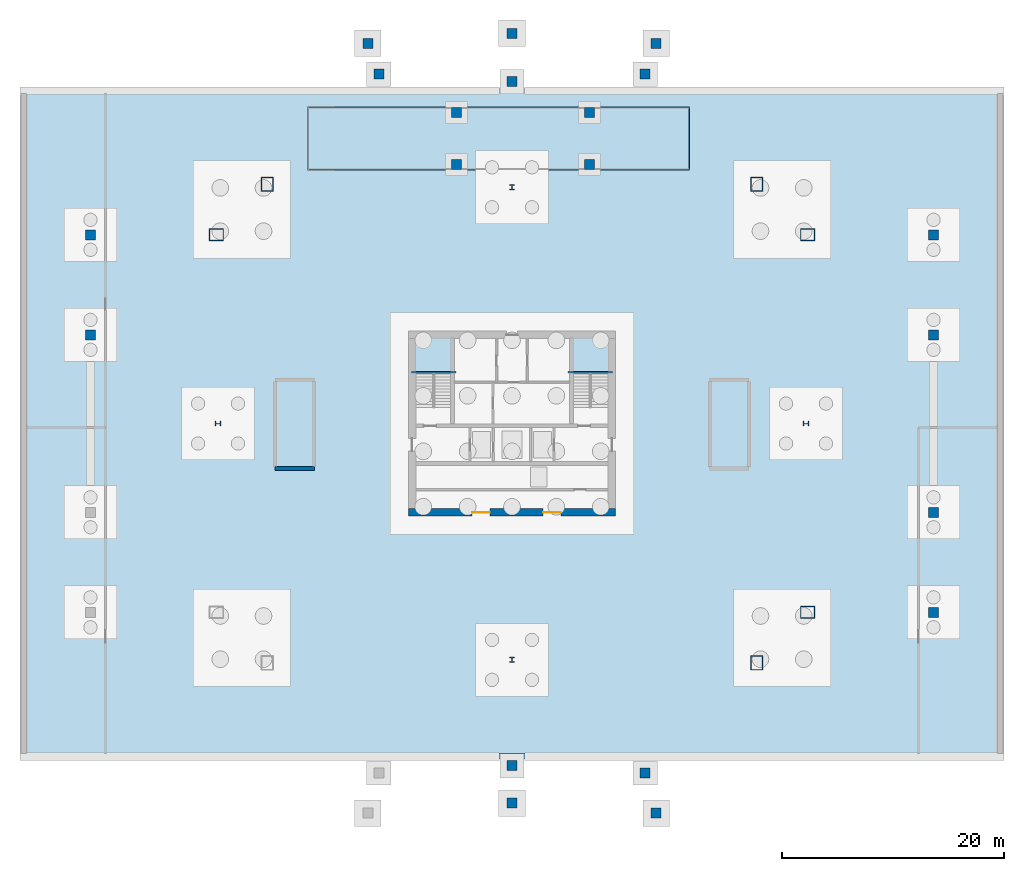
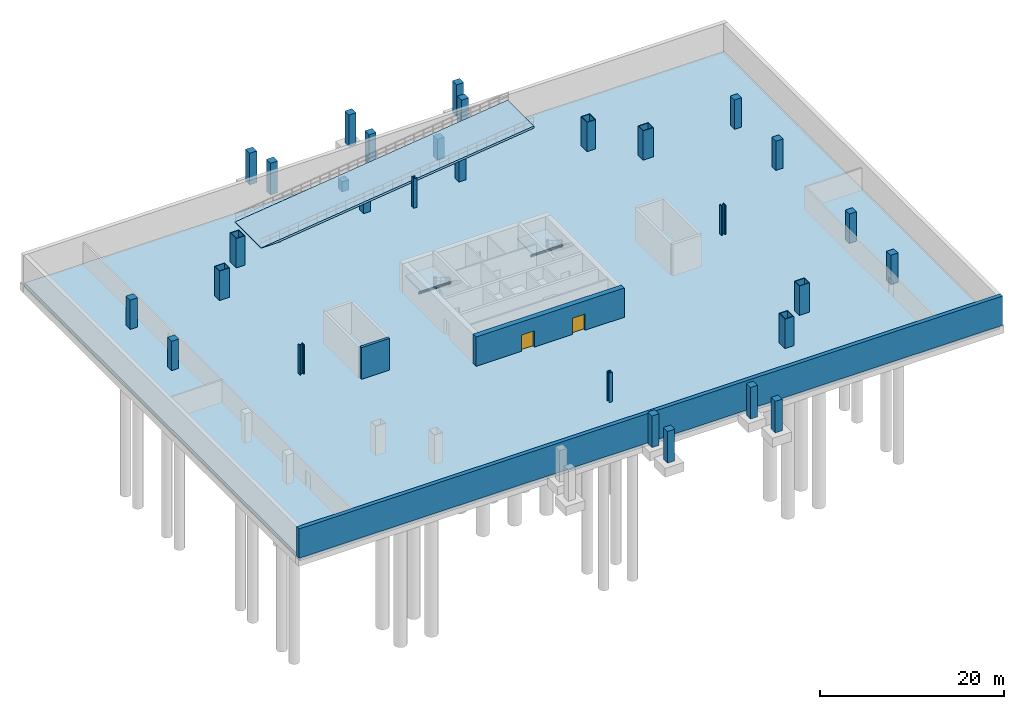
# One storey, part 2 of 7: 30 columns, 4 slabs, 3 walls, 2 beams, 2 doors, 2 openings, 2 elements without a shape of their own.
"""IFC4 building model written with IfcOpenShell, lengths in metres."""

from ifc_helpers import new_model, si_unit, direction, frame, frame_2d, origin, origin_2d, place, context, subcontext, project, spatial, polyline, rectangle, hollow_rectangle, i_section, outline, extrude, material, layer, layer_set, material_profile, profile_set, type_object, element, fill, aggregate, save


model = new_model("IFC4")

# Units and contexts
model_context = context("Model", 3, precision=1e-05, world=origin(), true_north=direction((0.0, 1.0)))
body_context = subcontext(model_context, "Body", "Model", "MODEL_VIEW")
ifc_project = project(units=[si_unit("LENGTHUNIT", "METRE"), si_unit("AREAUNIT", "SQUARE_METRE"), si_unit("VOLUMEUNIT", "CUBIC_METRE"), si_unit("PLANEANGLEUNIT", "RADIAN"), si_unit("MASSUNIT", "GRAM", prefix="KILO")], contexts=[model_context])

# Site, building, storey
site_placement = place(None, origin())
site = spatial("IfcSite", under=ifc_project, at=site_placement, CompositionType="ELEMENT")
building_placement = place(site_placement, origin())
building = spatial("IfcBuilding", under=site, at=building_placement, Name="Caelvoria Tower", CompositionType="ELEMENT")
storey_placement = place(building_placement, frame((0.0, 0.0, -8.39990234375)))
storey = spatial("IfcBuildingStorey", under=building, at=storey_placement, Name="B2", CompositionType="ELEMENT", Elevation=-8.39990234375)

# Columns
ifc_material_1 = material(Name="Concrete C50/60", Category="concrete")
ifc_material_profile_1 = material_profile(ifc_material_1, rectangle(XDim=0.89990234375, YDim=0.89990234375, at=origin_2d()), Name="Concrete C50/60")
ifc_profile_set_1 = profile_set([ifc_material_profile_1], Name="RC_COL_900X900 - Concrete C50/60")
column_type_1 = type_object("IfcColumnType", Name="Basement RC Column 900x900", PredefinedType="COLUMN", material=ifc_profile_set_1)
for number, where, z_axis, x_axis, name in (
    (1, (8.0, 40.0, 0.0), (0.0, 0.0, 1.0), (1.0, 0.0, 0.0), "Basement Wing Column B2-03"),
    (2, (8.0, 49.015625, 0.0), (0.0, 0.0, 1.0), (1.0, 0.0, 0.0), "Basement Wing Column B2-04"),
    (3, (84.0, 14.984375, 0.0), (0.0, 0.0, 1.0), (1.0, 0.0, 0.0), "Basement Wing Column B2-05"),
    (4, (84.0, 24.0, 0.0), (0.0, 0.0, 1.0), (1.0, 0.0, 0.0), "Basement Wing Column B2-06"),
    (5, (84.0, 40.0, 0.0), (0.0, 0.0, 1.0), (1.0, 0.0, 0.0), "Basement Wing Column B2-07"),
    (6, (84.0, 49.015625, 0.0), (0.0, 0.0, 1.0), (1.0, 0.0, 0.0), "Basement Wing Column B2-08"),
):
    element("IfcColumn", number, at=place(storey_placement, frame(where, z_axis=z_axis, x_axis=x_axis)), inside=storey, type_object=column_type_1, Name=name, PredefinedType="COLUMN", context=body_context, shape_type="SweptSolid", body=[
        extrude(rectangle(XDim=0.89990234375, YDim=0.89990234375, at=origin_2d()), origin(), (0.0, 0.0, 1.0), 3.89794921875),
    ])
for number, where, z_axis, x_axis, name in (
    (7, (46.0, -2.219970703125, -0.010009765625), (0.0, 0.0, 1.0), (1.0, 0.0, 0.0), "Accessible Ramp Pier B2-S2"),
    (8, (59.0, -3.1201171875, -0.010009765625), (0.0, 0.0, 1.0), (1.0, 0.0, 0.0), "Accessible Ramp Pier B2-S3"),
    (9, (46.0, 1.169921875, -0.010009765625), (0.0, 0.0, 1.0), (1.0, 0.0, 0.0), "Plaza Threshold Pier B2-S2"),
    (10, (58.0, 0.5, -0.010009765625), (0.0, 0.0, 1.0), (1.0, 0.0, 0.0), "Plaza Threshold Pier B2-S3"),
    (11, (33.0, 66.280029296875, -0.010009765625), (0.0, 0.0, 1.0), (1.0, 0.0, 0.0), "Accessible Ramp Pier B2-N1"),
    (12, (46.0, 67.179931640625, -0.010009765625), (0.0, 0.0, 1.0), (1.0, 0.0, 0.0), "Accessible Ramp Pier B2-N2"),
    (13, (59.0, 66.280029296875, -0.010009765625), (0.0, 0.0, 1.0), (1.0, 0.0, 0.0), "Accessible Ramp Pier B2-N3"),
    (14, (34.0, 63.5, -0.010009765625), (0.0, 0.0, 1.0), (1.0, 0.0, 0.0), "Plaza Threshold Pier B2-N1"),
    (15, (46.0, 62.830078125, -0.010009765625), (0.0, 0.0, 1.0), (1.0, 0.0, 0.0), "Plaza Threshold Pier B2-N2"),
    (16, (58.0, 63.5, -0.010009765625), (0.0, 0.0, 1.0), (1.0, 0.0, 0.0), "Plaza Threshold Pier B2-N3"),
):
    element("IfcColumn", number, at=place(storey_placement, frame(where, z_axis=z_axis, x_axis=x_axis)), inside=storey, type_object=column_type_1, Name=name, PredefinedType="COLUMN", context=body_context, shape_type="SweptSolid", body=[
        extrude(rectangle(XDim=0.89990234375, YDim=0.89990234375, at=origin_2d()), origin(), (0.0, 0.0, 1.0), 4.204833984375),
    ])
for number, where, z_axis, x_axis, name in (
    (17, (41.0, 55.35009765625, 0.0), (0.0, 0.0, 1.0), (1.0, 0.0, 0.0), "Vehicular Ramp Support Column B2-1"),
    (18, (41.0, 60.050048828125, 0.0), (0.0, 0.0, 1.0), (1.0, 0.0, 0.0), "Vehicular Ramp Support Column B2-2"),
):
    element("IfcColumn", number, at=place(storey_placement, frame(where, z_axis=z_axis, x_axis=x_axis)), inside=storey, type_object=column_type_1, Name=name, PredefinedType="COLUMN", context=body_context, shape_type="SweptSolid", body=[
        extrude(rectangle(XDim=0.89990234375, YDim=0.89990234375, at=origin_2d()), origin(), (0.0, 0.0, 1.0), 1.3525390625),
    ])
for number, where, z_axis, x_axis, name in (
    (19, (53.0, 55.35009765625, 0.0), (0.0, 0.0, 1.0), (1.0, 0.0, 0.0), "Vehicular Ramp Support Column B2-3"),
    (20, (53.0, 60.050048828125, 0.0), (0.0, 0.0, 1.0), (1.0, 0.0, 0.0), "Vehicular Ramp Support Column B2-4"),
):
    element("IfcColumn", number, at=place(storey_placement, frame(where, z_axis=z_axis, x_axis=x_axis)), inside=storey, type_object=column_type_1, Name=name, PredefinedType="COLUMN", context=body_context, shape_type="SweptSolid", body=[
        extrude(rectangle(XDim=0.89990234375, YDim=0.89990234375, at=origin_2d()), origin(), (0.0, 0.0, 1.0), 2.822021484375),
    ])
ifc_material_2 = material(Name="Structural Steel ASTM A913 Gr.65", Category="steel")
ifc_material_profile_2 = material_profile(ifc_material_2, i_section(OverallWidth=0.43896484375, OverallDepth=0.513916015625, WebThickness=0.059814453125, FlangeThickness=0.096923828125, FilletRadius=0.02490234375, at=origin_2d()), Name="Structural Steel ASTM A913 Gr.65")
ifc_profile_set_2 = profile_set([ifc_material_profile_2], Name="W360X818 - Structural Steel ASTM A913 Gr.65")
column_type_2 = type_object("IfcColumnType", Name="Heavy Frame Column W360X818", PredefinedType="COLUMN", material=ifc_profile_set_2)
for number, where, z_axis, x_axis, name in (
    (21, (46.0, 10.699951171875, 0.0), (0.0, 0.0, 1.0), (1.0, 0.0, 0.0), "Perimeter Megaframe Column B2-P01"),
    (22, (72.5, 32.0, 0.0), (0.0, 0.0, 1.0), (0.0, 1.0, 0.0), "Perimeter Megaframe Column B2-P04"),
    (23, (46.0, 53.300048828125, 0.0), (0.0, 0.0, 1.0), (1.0, 0.0, 0.0), "Perimeter Megaframe Column B2-P07"),
    (24, (19.5, 32.0, 0.0), (0.0, 0.0, 1.0), (0.0, 1.0, 0.0), "Perimeter Megaframe Column B2-P10"),
):
    element("IfcColumn", number, at=place(storey_placement, frame(where, z_axis=z_axis, x_axis=x_axis)), inside=storey, type_object=column_type_2, Name=name, PredefinedType="COLUMN", context=body_context, shape_type="SweptSolid", body=[
        extrude(i_section(OverallWidth=0.43896484375, OverallDepth=0.513916015625, WebThickness=0.059814453125, FlangeThickness=0.096923828125, FilletRadius=0.02490234375, at=origin_2d()), origin(), (0.0, 0.0, 1.0), 3.89794921875),
    ])
ifc_material_3 = material(Name="Structural Steel ASTM A572 Gr.50", Category="steel")
ifc_material_profile_3 = material_profile(ifc_material_3, hollow_rectangle(XDim=1.10009765625, YDim=1.300048828125, WallThickness=0.070068359375, at=origin_2d()), Name="Structural Steel ASTM A572 Gr.50")
ifc_profile_set_3 = profile_set([ifc_material_profile_3], Name="BOX1300X1100X70 - Structural Steel ASTM A572 Gr.50")
column_type_3 = type_object("IfcColumnType", Name="Mega Box Column 1300x1100x70", PredefinedType="COLUMN", material=ifc_profile_set_3)
for number, where, z_axis, x_axis, name in (
    (25, (68.056640625, 10.42919921875, 0.0), (0.0, 0.0, 1.0), (1.0, 0.0, 0.0), "Perimeter Megaframe Column B2-P02"),
    (26, (72.6416015625, 14.984375, 0.0), (0.0, 0.0, 1.0), (0.0, 1.0, 0.0), "Perimeter Megaframe Column B2-P03"),
    (27, (72.6416015625, 49.015625, 0.0), (0.0, 0.0, 1.0), (0.0, 1.0, 0.0), "Perimeter Megaframe Column B2-P05"),
    (28, (68.056640625, 53.57080078125, 0.0), (0.0, 0.0, 1.0), (1.0, 0.0, 0.0), "Perimeter Megaframe Column B2-P06"),
    (29, (23.943359375, 53.57080078125, 0.0), (0.0, 0.0, 1.0), (1.0, 0.0, 0.0), "Perimeter Megaframe Column B2-P08"),
    (30, (19.3583984375, 49.015625, 0.0), (0.0, 0.0, 1.0), (0.0, 1.0, 0.0), "Perimeter Megaframe Column B2-P09"),
):
    element("IfcColumn", number, at=place(storey_placement, frame(where, z_axis=z_axis, x_axis=x_axis)), inside=storey, type_object=column_type_3, Name=name, PredefinedType="COLUMN", context=body_context, shape_type="SweptSolid", body=[
        extrude(hollow_rectangle(XDim=1.10009765625, YDim=1.300048828125, WallThickness=0.070068359375, at=origin_2d()), origin(), (0.0, 0.0, 1.0), 3.89794921875),
    ])

# Beams
ifc_material_4 = material(Name="Structural Steel ASTM A992 Gr.50", Category="steel")
ifc_material_profile_4 = material_profile(ifc_material_4, i_section(OverallWidth=0.134033203125, OverallDepth=0.2099609375, WebThickness=0.00634765625, FlangeThickness=0.01025390625, FilletRadius=0.010009765625, at=origin_2d()), Name="Structural Steel ASTM A992 Gr.50")
ifc_profile_set_4 = profile_set([ifc_material_profile_4], Name="W200X31.3 - Structural Steel ASTM A992 Gr.50")
beam_type = type_object("IfcBeamType", Name="Canopy Edge Trim Beam W200X31.3", PredefinedType="BEAM", material=ifc_profile_set_4)
for number, where, z_axis, x_axis, name in (
    (31, (36.929931640625, 36.625, 1.794921875), (1.0, 0.0, 0.0), (0.0, 1.0, 0.0), "ST-01 Half-Landing Support Beam B2"),
    (32, (51.030029296875, 36.625, 1.794921875), (1.0, 0.0, 0.0), (0.0, 1.0, 0.0), "ST-02 Half-Landing Support Beam B2"),
):
    element("IfcBeam", number, at=place(storey_placement, frame(where, z_axis=z_axis, x_axis=x_axis)), inside=storey, type_object=beam_type, Name=name, PredefinedType="BEAM", context=body_context, shape_type="SweptSolid", body=[
        extrude(i_section(OverallWidth=0.134033203125, OverallDepth=0.2099609375, WebThickness=0.00634765625, FlangeThickness=0.01025390625, FilletRadius=0.010009765625, at=origin_2d()), origin(), (0.0, 0.0, 1.0), 4.0400390625),
    ])

# Slab
ifc_material_5 = material(Name="Concrete C40/50", Category="concrete")
ifc_layer_1 = layer(ifc_material_5, 0.60009765625, Name="Concrete C40/50")
ifc_layer_set_1 = layer_set([ifc_layer_1], Name="Basement Base Slab 600 - Concrete C40/50")
slab_type_1 = type_object("IfcSlabType", Name="Basement Base Slab 600", PredefinedType="BASESLAB", material=ifc_layer_set_1)
slab_1_placement = place(storey_placement, frame((0.0, 0.0, -0.60009765625)))
element("IfcSlab", 33, at=slab_1_placement, inside=storey, type_object=slab_type_1, Name="Level B2 Structural Floor Slab", PredefinedType="BASESLAB", context=body_context, shape_type="SweptSolid", body=[
    extrude(outline(polyline([(2.0, 2.0), (90.0, 2.0), (90.0, 62.0), (2.0, 62.0), (2.0, 2.0)]), holes=[polyline([(27.60009765625, 54.820068359375), (30.050048828125, 54.820068359375), (30.050048828125, 60.580078125), (27.60009765625, 60.580078125), (27.60009765625, 54.820068359375)])]), origin(), (0.0, 0.0, 1.0), 0.60009765625),
])

# Stair, slab
stair_type = type_object("IfcStairType", Name="Core Smokeproof Dogleg Stair Concrete C40/50", PredefinedType="HALF_TURN_STAIR", material=ifc_material_5)
stair_1_placement = place(storey_placement, origin())
stair_1 = element("IfcStair", 34, at=stair_1_placement, inside=storey, type_object=stair_type, Name="ST-01 Smokeproof Exit Stair B2", PredefinedType="HALF_TURN_STAIR")
ifc_layer_2 = layer(ifc_material_5, 0.199951171875, Name="Concrete C40/50")
ifc_layer_set_2 = layer_set([ifc_layer_2], Name="Stair Half and Floor Landing Slab 200 Concrete C40/50 - Concrete C40/50")
slab_type_2 = type_object("IfcSlabType", Name="Stair Half and Floor Landing Slab 200 Concrete C40/50", PredefinedType="LANDING", material=ifc_layer_set_2)
slab_2_placement = place(storey_placement, frame((0.0, 0.0, 1.89990234375)))
slab_2 = element("IfcSlab", 35, at=slab_2_placement, type_object=slab_type_2, Name="ST-01 landing 1", PredefinedType="LANDING", context=body_context, shape_type="SweptSolid", body=[
    extrude(outline(polyline([(37.10009765625, 36.425048828125), (40.800048828125, 36.425048828125), (40.800048828125, 39.89990234375), (37.10009765625, 39.89990234375), (37.10009765625, 36.425048828125)])), origin(), (0.0, 0.0, 1.0), 0.199951171875),
])
aggregate(stair_1, [slab_2])

stair_2_placement = place(storey_placement, origin())
stair_2 = element("IfcStair", 36, at=stair_2_placement, inside=storey, type_object=stair_type, Name="ST-02 Smokeproof Exit Stair B2", PredefinedType="HALF_TURN_STAIR")
slab_3_placement = place(storey_placement, frame((0.0, 0.0, 1.89990234375)))
slab_3 = element("IfcSlab", 37, at=slab_3_placement, type_object=slab_type_2, Name="ST-02 landing 1", PredefinedType="LANDING", context=body_context, shape_type="SweptSolid", body=[
    extrude(outline(polyline([(51.199951171875, 36.425048828125), (54.89990234375, 36.425048828125), (54.89990234375, 39.89990234375), (51.199951171875, 39.89990234375), (51.199951171875, 36.425048828125)])), origin(), (0.0, 0.0, 1.0), 0.199951171875),
])
aggregate(stair_2, [slab_3])

# Slab
ifc_layer_3 = layer(ifc_material_5, 0.280029296875, Name="Concrete C40/50")
ifc_layer_set_3 = layer_set([ifc_layer_3], Name="Structural Vehicular Ramp Slab 280 - Concrete C40/50")
slab_type_3 = type_object("IfcSlabType", Name="Structural Vehicular Ramp Slab 280", PredefinedType="FLOOR", material=ifc_layer_set_3)
slab_4_placement = place(storey_placement, frame((27.64990234375, 54.85009765625, 0.0), z_axis=(-0.121539627855, 0.0, 0.992586580033), x_axis=(0.992586580033, 0.0, 0.121539627855)))
element("IfcSlab", 38, at=slab_4_placement, inside=storey, type_object=slab_type_3, Name="Basement Vehicular Ramp Slab VR-01", PredefinedType="FLOOR", context=body_context, shape_type="SweptSolid", body=[
    extrude(outline(polyline([(0.0, 0.0), (34.5562286636996, 0.0), (34.5562286636996, 5.699951171874999), (0.0, 5.699951171874999), (0.0, 0.0)])), origin(), (0.0, 0.0, -1.0), 0.280029296875),
])

# Walls
ifc_layer_4 = layer(ifc_material_5, 0.5, Name="Concrete C40/50")
ifc_layer_set_4 = layer_set([ifc_layer_4], Name="Basement Retaining Wall 500 - Concrete C40/50")
wall_type_1 = type_object("IfcWallType", Name="Basement Retaining Wall 500", PredefinedType="SOLIDWALL", material=ifc_layer_set_4)
wall_1_placement = place(storey_placement, frame((1.75, 2.0, 0.0), z_axis=(0.0, 0.0, 1.0), x_axis=(1.0, 0.0, 0.0)))
element("IfcWall", 39, at=wall_1_placement, inside=storey, type_object=wall_type_1, Name="B2 Retaining Wall S", PredefinedType="SOLIDWALL", context=body_context, shape_type="SweptSolid", body=[
    extrude(rectangle(XDim=88.5, YDim=0.5, at=frame_2d((44.25, 0.0))), origin(), (0.0, 0.0, 1.0), 3.89990234375),
])
ifc_layer_5 = layer(ifc_material_1, 0.35009765625, Name="Concrete C50/60")
ifc_layer_set_5 = layer_set([ifc_layer_5], Name="Core Internal Shear Wall 350 - Concrete C50/60")
wall_type_2 = type_object("IfcWallType", Name="Core Internal Shear Wall 350", PredefinedType="SHEAR", material=ifc_layer_set_5)
wall_2_placement = place(storey_placement, frame((24.625, 27.949951171875, 0.0), z_axis=(0.0, 0.0, 1.0), x_axis=(1.0, 0.0, 0.0)))
element("IfcWall", 40, at=wall_2_placement, inside=storey, type_object=wall_type_2, Name="Podium Stair Shear Wall B2 ST3 S", PredefinedType="SHEAR", context=body_context, shape_type="SweptSolid", body=[
    extrude(rectangle(XDim=3.550048828125, YDim=0.35009765625, at=frame_2d((1.77490234375, 0.0))), origin(), (0.0, 0.0, 1.0), 4.199951171875),
])

# Wall, openings, doors
ifc_material_6 = material(Name="Concrete C60/75", Category="concrete")
ifc_layer_6 = layer(ifc_material_6, 0.64990234375, Name="Concrete C60/75")
ifc_layer_set_6 = layer_set([ifc_layer_6], Name="Lower Core Shear Wall 650 - Concrete C60/75")
wall_type_3 = type_object("IfcWallType", Name="Lower Core Shear Wall 650", PredefinedType="SHEAR", material=ifc_layer_set_6)
wall_3_placement = place(storey_placement, frame((36.675048828125, 24.0, 0.0), z_axis=(0.0, 0.0, 1.0), x_axis=(1.0, 0.0, 0.0)))
wall_3 = element("IfcWall", 41, at=wall_3_placement, inside=storey, type_object=wall_type_3, Name="Core Shear Wall B2 S", PredefinedType="SHEAR", context=body_context, shape_type="SweptSolid", body=[
    extrude(rectangle(XDim=18.64990234375, YDim=0.64990234375, at=frame_2d((9.324951171875, 0.0))), origin(), (0.0, 0.0, 1.0), 3.89990234375),
])
opening_1_placement = place(wall_3_placement, frame((5.72509765625, 0.0, 0.0)))
opening_1 = element("IfcOpeningElement", 42, at=opening_1_placement, cuts=wall_3, Name="Opening ID-08", PredefinedType="OPENING", context=body_context, shape_type="SweptSolid", body=[
    extrude(rectangle(XDim=1.60009765625, YDim=2.14990234375, at=frame_2d((0.800048828125, 1.074951171875))), frame((0.0, 0.3349609375, 0.0), z_axis=(0.0, -1.0, 0.0), x_axis=(1.0, 0.0, 0.0)), (0.0, 0.0, 1.0), 0.669921875),
])
opening_2_placement = place(wall_3_placement, frame((12.125, 0.0, 0.0)))
opening_2 = element("IfcOpeningElement", 43, at=opening_2_placement, cuts=wall_3, Name="Opening ID-08", PredefinedType="OPENING", context=body_context, shape_type="SweptSolid", body=[
    extrude(rectangle(XDim=1.60009765625, YDim=2.14990234375, at=frame_2d((0.800048828125, 1.074951171875))), frame((0.0, 0.3349609375, 0.0), z_axis=(0.0, -1.0, 0.0), x_axis=(1.0, 0.0, 0.0)), (0.0, 0.0, 1.0), 0.669921875),
])
ifc_material_7 = material(Name="Bronze-Framed Fire-Rated Glazed Double Door", Category="aluminium")
door_type = type_object("IfcDoorType", Name="Double Lobby Glazed Door 1600x2200", OperationType="NOTDEFINED", PredefinedType="DOOR", material=ifc_material_7)
door_1_placement = place(opening_1_placement, origin())
door_1 = element("IfcDoor", 44, at=door_1_placement, inside=storey, type_object=door_type, Name="Core Door DR-B2-LLOB-S1", OperationType="DOUBLE_DOOR_SINGLE_SWING", OverallHeight=2.14990234375, OverallWidth=1.60009765625, PredefinedType="DOOR", context=body_context, shape_type="SweptSolid", body=[
    extrude(rectangle(XDim=1.60009765625, YDim=2.14990234375, at=frame_2d((0.800048828125, 1.074951171875))), frame((0.0, 0.02490234375, 0.0), z_axis=(0.0, -1.0, 0.0), x_axis=(1.0, 0.0, 0.0)), (0.0, 0.0, 1.0), 0.050048828125),
])
fill(opening_1, door_1)
door_2_placement = place(opening_2_placement, origin())
door_2 = element("IfcDoor", 45, at=door_2_placement, inside=storey, type_object=door_type, Name="Core Door DR-B2-LLOB-S2", OperationType="DOUBLE_DOOR_SINGLE_SWING", OverallHeight=2.14990234375, OverallWidth=1.60009765625, PredefinedType="DOOR", context=body_context, shape_type="SweptSolid", body=[
    extrude(rectangle(XDim=1.60009765625, YDim=2.14990234375, at=frame_2d((0.800048828125, 1.074951171875))), frame((0.0, 0.02490234375, 0.0), z_axis=(0.0, -1.0, 0.0), x_axis=(1.0, 0.0, 0.0)), (0.0, 0.0, 1.0), 0.050048828125),
])
fill(opening_2, door_2)

save(model, "model.ifc")
